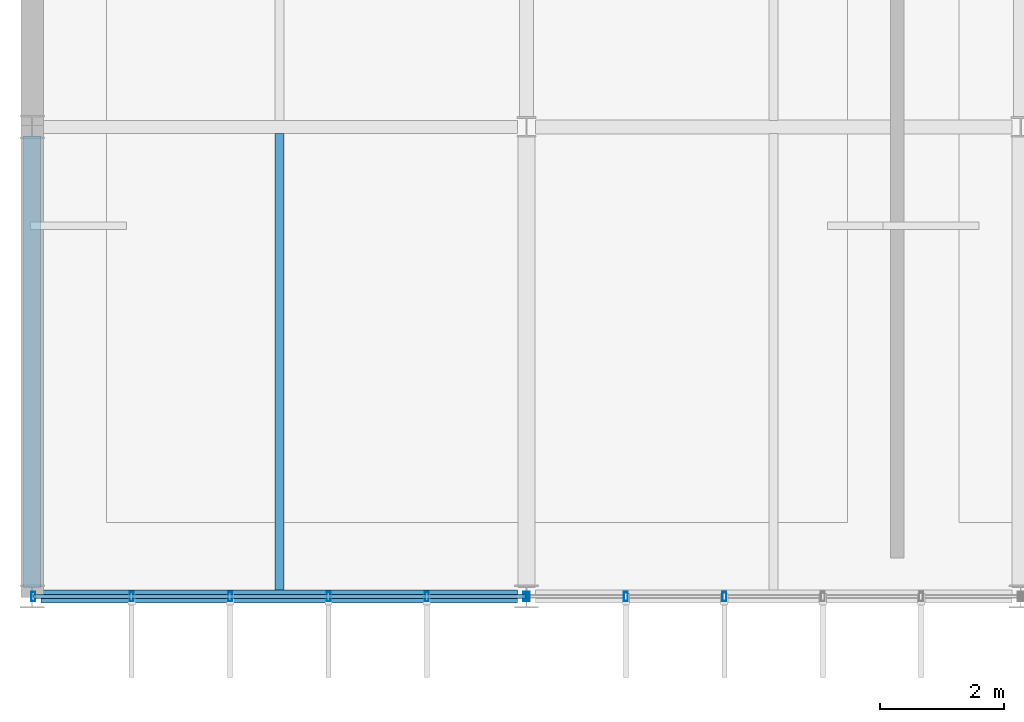
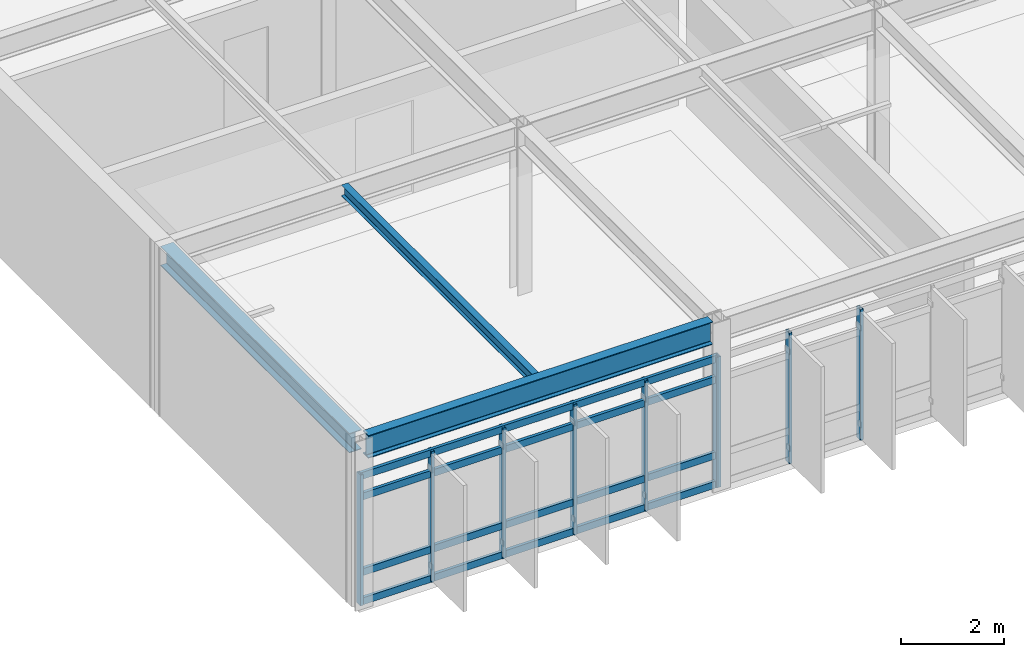
# One storey, part 18 of 85: 13 members, 3 beams, 2 elements without a shape of their own.
"""IFC4 building model written with IfcOpenShell, lengths in metres."""

import ifcopenshell
import ifcopenshell.guid

model = None  # the IFC model being written
_history = None  # IfcOwnerHistory: only IFC2X3 demands one
_inside = {}  # id of a spatial element -> (the spatial element, [elements in it])
_under = {}  # id of a project, library or spatial element -> (it, [spatial elements below it])
_declared = {}  # id of a project -> (the project, [libraries it declares])
_typed = {}  # id of a type object -> (the type object, [elements of that type])
_made_of = {}  # id of a material, layer set ... -> (it, [elements and type objects made of it])


def new_model(schema):
    """Start an empty IFC model of exactly this schema.

    Asked for "IFC4X3", IfcOpenShell would pick the latest addendum, in which some entities
    have other attributes; the version numbers below select the first issue.
    IFC2X3 requires an IfcOwnerHistory on every rooted entity: one is made here for all.
    """
    global model, _history
    if schema == "IFC4X3":
        model = ifcopenshell.file(schema_version=(4, 3, 0, 0))
    else:
        model = ifcopenshell.file(schema=schema)
    _inside.clear()
    _under.clear()
    _declared.clear()
    _typed.clear()
    _made_of.clear()
    _history = None
    if model.schema == "IFC2X3":
        org = make("IfcOrganization", Name="unknown")
        user = make(
            "IfcPersonAndOrganization",
            ThePerson=make("IfcPerson", FamilyName="unknown"),
            TheOrganization=org,
        )
        app = make(
            "IfcApplication",
            ApplicationDeveloper=org,
            Version="unknown",
            ApplicationFullName="unknown",
            ApplicationIdentifier="unknown",
        )
        _history = make(
            "IfcOwnerHistory",
            OwningUser=user,
            OwningApplication=app,
            ChangeAction="ADDED",
            CreationDate=0,
        )
    return model


def make(cls, **values):
    """One entity of the class cls with the attributes given. An attribute that is None is left unset."""
    return model.create_entity(
        cls, **{name: value for name, value in values.items() if value is not None}
    )


def rooted(cls, **values):
    """An entity with a GlobalId (a new one), such as an element, a storey or a relation."""
    return make(cls, GlobalId=ifcopenshell.guid.new(), OwnerHistory=_history, **values)


def si_unit(unit_type, name, prefix=None):
    """IfcSIUnit, for example si_unit("LENGTHUNIT", "METRE", prefix="MILLI")."""
    return make("IfcSIUnit", UnitType=unit_type, Prefix=prefix, Name=name)


def assignment(units):
    """IfcUnitAssignment: the units of a project."""
    return None if units is None else make("IfcUnitAssignment", Units=units)


def point(xyz):
    """IfcCartesianPoint."""
    return None if xyz is None else make("IfcCartesianPoint", Coordinates=xyz)


def direction(xyz):
    """IfcDirection."""
    return None if xyz is None else make("IfcDirection", DirectionRatios=xyz)


def frame(location, z_axis=None, x_axis=None):
    """IfcAxis2Placement3D, a coordinate frame: its origin and axes. An axis left out is left unset."""
    return make(
        "IfcAxis2Placement3D",
        Location=point(location),
        Axis=direction(z_axis),
        RefDirection=direction(x_axis),
    )


def frame_2d(location, x_axis=None):
    """IfcAxis2Placement2D, a coordinate frame in the plane: its origin and x axis."""
    return make(
        "IfcAxis2Placement2D", Location=point(location), RefDirection=direction(x_axis)
    )


def origin():
    """The frame at (0, 0, 0) with its axes left unset."""
    return frame((0.0, 0.0, 0.0))


def origin_2d():
    """The frame at (0, 0) in the plane with its x axis left unset."""
    return frame_2d((0.0, 0.0))


def place(relative_to, where):
    """IfcLocalPlacement: puts the frame where relative to a parent placement (None: the world)."""
    return make(
        "IfcLocalPlacement", PlacementRelTo=relative_to, RelativePlacement=where
    )


def context(
    kind, dimensions, precision=None, world=None, true_north=None, identifier=None
):
    """IfcGeometricRepresentationContext, for example the 3D "Model" context."""
    return make(
        "IfcGeometricRepresentationContext",
        ContextIdentifier=identifier,
        ContextType=kind,
        CoordinateSpaceDimension=dimensions,
        Precision=precision,
        WorldCoordinateSystem=world,
        TrueNorth=true_north,
    )


def subcontext(parent, identifier, kind, view, scale=None):
    """IfcGeometricRepresentationSubContext, for example "Body" below "Model"."""
    return make(
        "IfcGeometricRepresentationSubContext",
        ContextIdentifier=identifier,
        ContextType=kind,
        ParentContext=parent,
        TargetScale=scale,
        TargetView=view,
    )


def project(units=None, contexts=None):
    """IfcProject with its units and contexts."""
    return rooted(
        "IfcProject",
        Name="project",
        RepresentationContexts=contexts,
        UnitsInContext=assignment(units),
    )


def spatial(cls, under=None, at=None, **own):
    """A site, building, storey or space (cls), placed at a placement, below another one or the project."""
    s = rooted(cls, ObjectPlacement=at, **own)
    if under is not None:
        _under.setdefault(under.id(), (under, []))[1].append(s)
    return s


def profile(cls, at=None, kind="AREA", **sizes):
    """A parametric profile (cls). Its sizes go by their IFC names, for example OverallWidth=200.0."""
    return make(cls, ProfileType=kind, Position=at, **sizes)


def hollow_rectangle(**sizes):
    """IfcRectangleHollowProfileDef."""
    return profile("IfcRectangleHollowProfileDef", **sizes)


def i_section(**sizes):
    """IfcIShapeProfileDef."""
    return profile("IfcIShapeProfileDef", **sizes)


def extrude(swept, where, along, depth):
    """IfcExtrudedAreaSolid: the profile swept, set in the frame where, extruded along a direction by depth."""
    return make(
        "IfcExtrudedAreaSolid",
        SweptArea=swept,
        Position=where,
        ExtrudedDirection=direction(along),
        Depth=depth,
    )


def shape(context_of_items, identifier, shape_type, items):
    """IfcShapeRepresentation: the items that make up one representation, for example the "Body"."""
    return make(
        "IfcShapeRepresentation",
        ContextOfItems=context_of_items,
        RepresentationIdentifier=identifier,
        RepresentationType=shape_type,
        Items=items,
    )


def material(Name=None, Category=None):
    """IfcMaterial."""
    return make("IfcMaterial", Name=Name, Category=Category)


def material_profile(
    of_material, cross_section, Name=None, Category=None, Priority=None
):
    """IfcMaterialProfile: a cross section and its material."""
    return make(
        "IfcMaterialProfile",
        Name=Name,
        Material=of_material,
        Profile=cross_section,
        Priority=Priority,
        Category=Category,
    )


def profile_set(profiles, Name=None, composite=None):
    """IfcMaterialProfileSet."""
    return make(
        "IfcMaterialProfileSet",
        Name=Name,
        MaterialProfiles=profiles,
        CompositeProfile=composite,
    )


def made_of(thing, what):
    """Note that an element or type object is made of a material, layer set ...; save() writes the relation."""
    if what is not None:
        _made_of.setdefault(what.id(), (what, []))[1].append(thing)
    return thing


def type_object(cls, material=None, **own):
    """A type object (cls), such as IfcWallType, which elements share."""
    return made_of(rooted(cls, **own), material)


def element(
    cls,
    number,
    at=None,
    inside=None,
    cuts=None,
    type_object=None,
    material=None,
    context=None,
    identifier="Body",
    shape_type=None,
    held_by="IfcProductDefinitionShape",
    body=None,
    shapes=None,
    **own,
):
    """One element of the class cls, such as IfcWall. Its Tag is "e" and its number.

    at: its placement. inside: the storey or other place that contains it. cuts: it is an
    opening in that element (IfcRelVoidsElement). A single representation is given by context,
    identifier, shape_type and body (its items); several are given by shapes. held_by: the class
    of the entity that holds the representations. save() writes the other relations.
    """
    e = rooted(cls, Tag="e%d" % number, ObjectPlacement=at, **own)
    if body is not None:
        shapes = [shape(context, identifier, shape_type, body)]
    if shapes is not None:
        e.Representation = make(held_by, Representations=shapes)
    if inside is not None:
        _inside.setdefault(inside.id(), (inside, []))[1].append(e)
    if cuts is not None:
        rooted(
            "IfcRelVoidsElement", RelatingBuildingElement=cuts, RelatedOpeningElement=e
        )
    if type_object is not None:
        _typed.setdefault(type_object.id(), (type_object, []))[1].append(e)
    return made_of(e, material)


def aggregate(whole, parts):
    """IfcRelAggregates: a whole, such as a stair, and the parts it consists of."""
    return rooted("IfcRelAggregates", RelatingObject=whole, RelatedObjects=parts)


def save(model, path):
    """Write the relations noted so far, then the file.

    IfcRelAggregates (storeys below a building ...), IfcRelContainedInSpatialStructure (elements
    in a storey), IfcRelDefinesByType, IfcRelAssociatesMaterial and IfcRelDeclares: one each for
    every whole, place, type object, material and project.
    """
    for whole, parts in _under.values():
        aggregate(whole, parts)
    for where, things in _inside.values():
        rooted(
            "IfcRelContainedInSpatialStructure",
            RelatedElements=things,
            RelatingStructure=where,
        )
    for kind, things in _typed.values():
        rooted("IfcRelDefinesByType", RelatedObjects=things, RelatingType=kind)
    for what, things in _made_of.values():
        rooted("IfcRelAssociatesMaterial", RelatedObjects=things, RelatingMaterial=what)
    for by, libraries in _declared.values():
        rooted("IfcRelDeclares", RelatingContext=by, RelatedDefinitions=libraries)
    model.write(path)


model = new_model("IFC4")

# Units and contexts
model_context = context("Model", 3, precision=1e-05, world=origin(), true_north=direction((0.0, 1.0)))
body_context = subcontext(model_context, "Body", "Model", "MODEL_VIEW")
ifc_project = project(units=[si_unit("LENGTHUNIT", "METRE"), si_unit("AREAUNIT", "SQUARE_METRE"), si_unit("VOLUMEUNIT", "CUBIC_METRE"), si_unit("PLANEANGLEUNIT", "RADIAN"), si_unit("MASSUNIT", "GRAM", prefix="KILO")], contexts=[model_context])

# Site, building, storey
site_placement = place(None, origin())
site = spatial("IfcSite", under=ifc_project, at=site_placement, CompositionType="ELEMENT")
building_placement = place(site_placement, origin())
building = spatial("IfcBuilding", under=site, at=building_placement, Name="Zulena Civic Courthouse", CompositionType="ELEMENT")
storey_placement = place(building_placement, frame((0.0, 0.0, 25.199951171875)))
storey = spatial("IfcBuildingStorey", under=building, at=storey_placement, Name="L05", CompositionType="ELEMENT", Elevation=25.199951171875)

# Curtain wall, members
ifc_material_1 = material(Name="Double-silver low-E laminated solar-control glass", Category="glass")
curtain_wall_type = type_object("IfcCurtainWallType", Name="CW_7964x3090", PredefinedType="USERDEFINED", material=ifc_material_1)
curtain_wall_1_placement = place(storey_placement, origin())
curtain_wall_1 = element("IfcCurtainWall", 1, at=curtain_wall_1_placement, inside=storey, type_object=curtain_wall_type, Name="cw:V2:L05:3:6", ObjectType="UNITISED CURTAIN WALL", PredefinedType="USERDEFINED")
ifc_material_2 = material(Name="Bronze anodised thermally broken aluminium AA6063-T6", Category="aluminium")
ifc_material_profile_1 = material_profile(ifc_material_2, hollow_rectangle(XDim=0.06494140625, YDim=0.14990234375, WallThickness=0.00390625, at=origin_2d()), Name="CWM150X65X4")
ifc_profile_set_1 = profile_set([ifc_material_profile_1], Name="Bronze anodised thermally broken aluminium AA6063-T6")
member_type_1 = type_object("IfcMemberType", Name="CWMullion_150x65", PredefinedType="MULLION", material=ifc_profile_set_1)
member_1_placement = place(storey_placement, frame((15.20361328125, 0.0, 0.0), z_axis=(0.0, 0.0, 1.0), x_axis=(1.0, 0.0, 0.0)))
member_1 = element("IfcMember", 2, at=member_1_placement, type_object=member_type_1, Name="cw:V2:L05:3:6:mull:3", PredefinedType="MULLION", context=body_context, shape_type="SweptSolid", body=[
    extrude(hollow_rectangle(XDim=0.06494140625, YDim=0.14990234375, WallThickness=0.00390625, at=origin_2d()), origin(), (0.0, 0.0, 1.0), 3.090087890625),
])
member_2_placement = place(storey_placement, frame((13.61083984375, 0.0, 0.0), z_axis=(0.0, 0.0, 1.0), x_axis=(1.0, 0.0, 0.0)))
member_2 = element("IfcMember", 3, at=member_2_placement, type_object=member_type_1, Name="cw:V2:L05:3:6:mull:4", PredefinedType="MULLION", context=body_context, shape_type="SweptSolid", body=[
    extrude(hollow_rectangle(XDim=0.06494140625, YDim=0.14990234375, WallThickness=0.00390625, at=origin_2d()), origin(), (0.0, 0.0, 1.0), 3.090087890625),
])
member_3_placement = place(storey_placement, frame((12.01806640625, 0.0, 0.0), z_axis=(0.0, 0.0, 1.0), x_axis=(1.0, 0.0, 0.0)))
member_3 = element("IfcMember", 4, at=member_3_placement, type_object=member_type_1, Name="cw:V2:L05:3:6:mull:5", PredefinedType="MULLION", context=body_context, shape_type="SweptSolid", body=[
    extrude(hollow_rectangle(XDim=0.06494140625, YDim=0.14990234375, WallThickness=0.00390625, at=origin_2d()), origin(), (0.0, 0.0, 1.0), 3.090087890625),
])
aggregate(curtain_wall_1, [member_1, member_2, member_3])

curtain_wall_2_placement = place(storey_placement, origin())
curtain_wall_2 = element("IfcCurtainWall", 5, at=curtain_wall_2_placement, inside=storey, type_object=curtain_wall_type, Name="cw:V2:L05:3:7", ObjectType="UNITISED CURTAIN WALL", PredefinedType="USERDEFINED")
member_4_placement = place(storey_placement, frame((11.98193359375, 0.0, 0.0), z_axis=(0.0, 0.0, 1.0), x_axis=(1.0, 0.0, 0.0)))
member_4 = element("IfcMember", 6, at=member_4_placement, type_object=member_type_1, Name="cw:V2:L05:3:7:mull:0", PredefinedType="MULLION", context=body_context, shape_type="SweptSolid", body=[
    extrude(hollow_rectangle(XDim=0.06494140625, YDim=0.14990234375, WallThickness=0.00390625, at=origin_2d()), origin(), (0.0, 0.0, 1.0), 3.090087890625),
])
member_5_placement = place(storey_placement, frame((10.38916015625, 0.0, 0.0), z_axis=(0.0, 0.0, 1.0), x_axis=(1.0, 0.0, 0.0)))
member_5 = element("IfcMember", 7, at=member_5_placement, type_object=member_type_1, Name="cw:V2:L05:3:7:mull:1", PredefinedType="MULLION", context=body_context, shape_type="SweptSolid", body=[
    extrude(hollow_rectangle(XDim=0.06494140625, YDim=0.14990234375, WallThickness=0.00390625, at=origin_2d()), origin(), (0.0, 0.0, 1.0), 3.090087890625),
])
member_6_placement = place(storey_placement, frame((8.79638671875, 0.0, 0.0), z_axis=(0.0, 0.0, 1.0), x_axis=(1.0, 0.0, 0.0)))
member_6 = element("IfcMember", 8, at=member_6_placement, type_object=member_type_1, Name="cw:V2:L05:3:7:mull:2", PredefinedType="MULLION", context=body_context, shape_type="SweptSolid", body=[
    extrude(hollow_rectangle(XDim=0.06494140625, YDim=0.14990234375, WallThickness=0.00390625, at=origin_2d()), origin(), (0.0, 0.0, 1.0), 3.090087890625),
])
member_7_placement = place(storey_placement, frame((7.20361328125, 0.0, 0.0), z_axis=(0.0, 0.0, 1.0), x_axis=(1.0, 0.0, 0.0)))
member_7 = element("IfcMember", 9, at=member_7_placement, type_object=member_type_1, Name="cw:V2:L05:3:7:mull:3", PredefinedType="MULLION", context=body_context, shape_type="SweptSolid", body=[
    extrude(hollow_rectangle(XDim=0.06494140625, YDim=0.14990234375, WallThickness=0.00390625, at=origin_2d()), origin(), (0.0, 0.0, 1.0), 3.090087890625),
])
member_8_placement = place(storey_placement, frame((5.61083984375, 0.0, 0.0), z_axis=(0.0, 0.0, 1.0), x_axis=(1.0, 0.0, 0.0)))
member_8 = element("IfcMember", 10, at=member_8_placement, type_object=member_type_1, Name="cw:V2:L05:3:7:mull:4", PredefinedType="MULLION", context=body_context, shape_type="SweptSolid", body=[
    extrude(hollow_rectangle(XDim=0.06494140625, YDim=0.14990234375, WallThickness=0.00390625, at=origin_2d()), origin(), (0.0, 0.0, 1.0), 3.090087890625),
])
member_9_placement = place(storey_placement, frame((4.01806640625, 0.0, 0.0), z_axis=(0.0, 0.0, 1.0), x_axis=(1.0, 0.0, 0.0)))
member_9 = element("IfcMember", 11, at=member_9_placement, type_object=member_type_1, Name="cw:V2:L05:3:7:mull:5", PredefinedType="MULLION", context=body_context, shape_type="SweptSolid", body=[
    extrude(hollow_rectangle(XDim=0.06494140625, YDim=0.14990234375, WallThickness=0.00390625, at=origin_2d()), origin(), (0.0, 0.0, 1.0), 3.090087890625),
])
ifc_material_profile_2 = material_profile(ifc_material_2, hollow_rectangle(XDim=0.070068359375, YDim=0.1650390625, WallThickness=0.00390625, at=origin_2d()), Name="CWT165X70X4")
ifc_profile_set_2 = profile_set([ifc_material_profile_2], Name="Bronze anodised thermally broken aluminium AA6063-T6")
member_type_2 = type_object("IfcMemberType", Name="CWTransom_165x70", PredefinedType="USERDEFINED", material=ifc_profile_set_2)
member_10_placement = place(storey_placement, frame((11.98193359375, 0.0, 0.06005859375), z_axis=(-1.0, 0.0, 0.0), x_axis=(0.0, -1.0, 0.0)))
member_10 = element("IfcMember", 12, at=member_10_placement, type_object=member_type_2, Name="cw:V2:L05:3:7:tran:0", ObjectType="TRANSOM", PredefinedType="USERDEFINED", context=body_context, shape_type="SweptSolid", body=[
    extrude(hollow_rectangle(XDim=0.070068359375, YDim=0.1650390625, WallThickness=0.00390625, at=origin_2d()), origin(), (0.0, 0.0, 1.0), 7.9638671875),
])
member_11_placement = place(storey_placement, frame((11.98193359375, 0.0, 0.75), z_axis=(-1.0, 0.0, 0.0), x_axis=(0.0, -1.0, 0.0)))
member_11 = element("IfcMember", 13, at=member_11_placement, type_object=member_type_2, Name="cw:V2:L05:3:7:tran:1", ObjectType="TRANSOM", PredefinedType="USERDEFINED", context=body_context, shape_type="SweptSolid", body=[
    extrude(hollow_rectangle(XDim=0.070068359375, YDim=0.1650390625, WallThickness=0.00390625, at=origin_2d()), origin(), (0.0, 0.0, 1.0), 7.9638671875),
])
member_12_placement = place(storey_placement, frame((11.98193359375, 0.0, 2.5400390625), z_axis=(-1.0, 0.0, 0.0), x_axis=(0.0, -1.0, 0.0)))
member_12 = element("IfcMember", 14, at=member_12_placement, type_object=member_type_2, Name="cw:V2:L05:3:7:tran:2", ObjectType="TRANSOM", PredefinedType="USERDEFINED", context=body_context, shape_type="SweptSolid", body=[
    extrude(hollow_rectangle(XDim=0.070068359375, YDim=0.1650390625, WallThickness=0.00390625, at=origin_2d()), origin(), (0.0, 0.0, 1.0), 7.9638671875),
])
member_13_placement = place(storey_placement, frame((11.98193359375, 0.0, 3.030029296875), z_axis=(-1.0, 0.0, 0.0), x_axis=(0.0, -1.0, 0.0)))
member_13 = element("IfcMember", 15, at=member_13_placement, type_object=member_type_2, Name="cw:V2:L05:3:7:tran:3", ObjectType="TRANSOM", PredefinedType="USERDEFINED", context=body_context, shape_type="SweptSolid", body=[
    extrude(hollow_rectangle(XDim=0.070068359375, YDim=0.1650390625, WallThickness=0.00390625, at=origin_2d()), origin(), (0.0, 0.0, 1.0), 7.9638671875),
])
aggregate(curtain_wall_2, [member_4, member_5, member_6, member_7, member_8, member_9, member_10, member_11, member_12, member_13])

# Beams
ifc_material_3 = material(Name="Steel ASTM A992 Grade 50", Category="steel")
ifc_material_profile_3 = material_profile(ifc_material_3, i_section(OverallWidth=0.14599609375, OverallDepth=0.258056640625, WebThickness=0.006103515625, FlangeThickness=0.009033203125, FilletRadius=0.007568359375, at=origin_2d()), Name="W10X22")
ifc_profile_set_3 = profile_set([ifc_material_profile_3], Name="Steel ASTM A992 Grade 50")
beam_type_1 = type_object("IfcBeamType", Name="Joist_W10X22", PredefinedType="JOIST", material=ifc_profile_set_3)
beam_1_placement = place(storey_placement, frame((8.0, 0.10498046875, 3.861083984375), z_axis=(0.0, 1.0, 0.0), x_axis=(-1.0, 0.0, 0.0)))
element("IfcBeam", 16, at=beam_1_placement, inside=storey, type_object=beam_type_1, Name="joist:V2:L05:8.00:0.0_7.6", PredefinedType="JOIST", context=body_context, shape_type="SweptSolid", body=[
    extrude(i_section(OverallWidth=0.14599609375, OverallDepth=0.258056640625, WebThickness=0.006103515625, FlangeThickness=0.009033203125, FilletRadius=0.007568359375, at=origin_2d()), origin(), (0.0, 0.0, 1.0), 7.39013671875),
])
ifc_material_profile_4 = material_profile(ifc_material_3, i_section(OverallWidth=0.280029296875, OverallDepth=0.462890625, WebThickness=0.0107421875, FlangeThickness=0.017333984375, FilletRadius=0.01025390625, at=origin_2d()), Name="W18X76")
ifc_profile_set_4 = profile_set([ifc_material_profile_4], Name="Steel ASTM A992 Grade 50")
beam_type_2 = type_object("IfcBeamType", Name="Spandrel_W18X76", PredefinedType="SPANDREL", material=ifc_profile_set_4)
beam_2_placement = place(storey_placement, frame((4.0, 0.14501953125, 3.758544921875), z_axis=(0.0, 1.0, 0.0), x_axis=(-1.0, 0.0, 0.0)))
element("IfcBeam", 17, at=beam_2_placement, inside=storey, type_object=beam_type_2, Name="beam:Y:V2:L05:4.0:0.0_7.6", PredefinedType="SPANDREL", context=body_context, shape_type="SweptSolid", body=[
    extrude(i_section(OverallWidth=0.280029296875, OverallDepth=0.462890625, WebThickness=0.0107421875, FlangeThickness=0.017333984375, FilletRadius=0.01025390625, at=origin_2d()), origin(), (0.0, 0.0, 1.0), 7.31005859375),
])
ifc_material_profile_5 = material_profile(ifc_material_3, i_section(OverallWidth=0.2099609375, OverallDepth=0.537109375, WebThickness=0.010986328125, FlangeThickness=0.017333984375, FilletRadius=0.0126953125, at=origin_2d()), Name="W21X68")
ifc_profile_set_5 = profile_set([ifc_material_profile_5], Name="Steel ASTM A992 Grade 50")
beam_type_3 = type_object("IfcBeamType", Name="Spandrel_W21X68", PredefinedType="SPANDREL", material=ifc_profile_set_5)
beam_3_placement = place(storey_placement, frame((4.14501953125, 0.0, 3.721435546875), z_axis=(1.0, 0.0, 0.0), x_axis=(0.0, 1.0, 0.0)))
element("IfcBeam", 18, at=beam_3_placement, inside=storey, type_object=beam_type_3, Name="beam:X:V2:L05:0.0:4.0_12.0", PredefinedType="SPANDREL", context=body_context, shape_type="SweptSolid", body=[
    extrude(i_section(OverallWidth=0.2099609375, OverallDepth=0.537109375, WebThickness=0.010986328125, FlangeThickness=0.017333984375, FilletRadius=0.0126953125, at=origin_2d()), origin(), (0.0, 0.0, 1.0), 7.7099609375),
])

save(model, "model.ifc")
